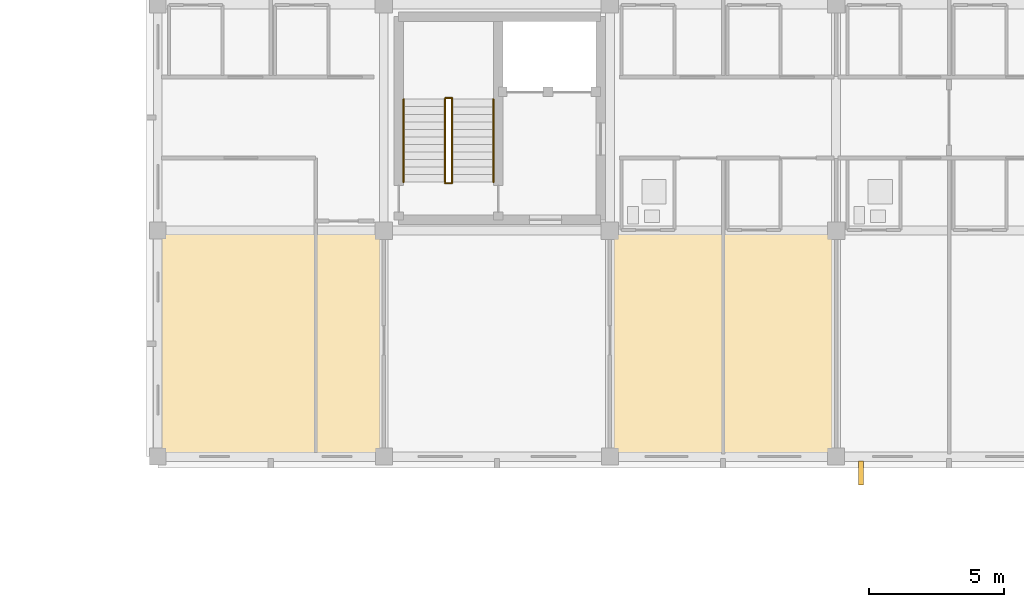
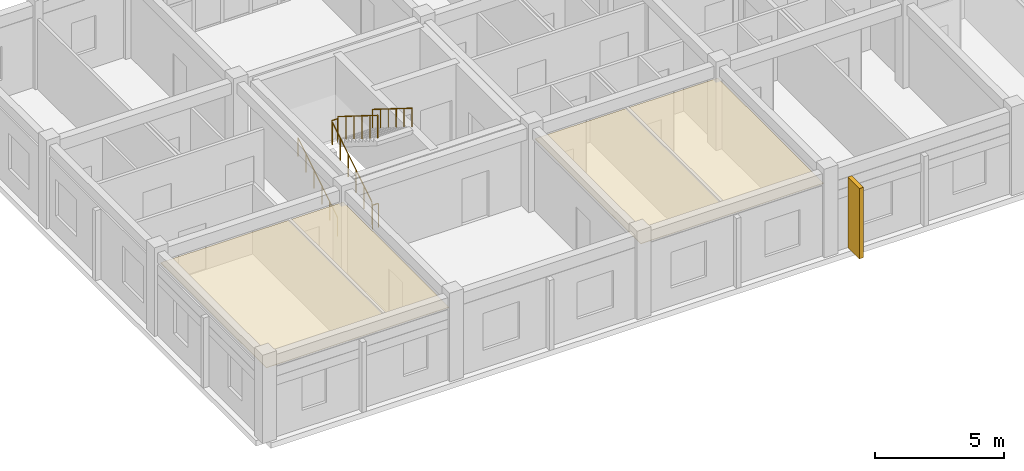
# One storey, part 77 of 81: 6 railings, 2 coverings, 1 shading device.
"""IFC4 building model written with IfcOpenShell, lengths in metres."""

from ifc_helpers import new_model, si_unit, direction, frame, origin, origin_2d, place, context, subcontext, project, spatial, polyline, rectangle, circle, outline, extrude, material, layer, layer_set, type_object, element, save


model = new_model("IFC4")

# Units and contexts
model_context = context("Model", 3, precision=1e-05, world=origin(), true_north=direction((0.0, 1.0)))
body_context = subcontext(model_context, "Body", "Model", "MODEL_VIEW")
ifc_project = project(units=[si_unit("LENGTHUNIT", "METRE"), si_unit("AREAUNIT", "SQUARE_METRE"), si_unit("VOLUMEUNIT", "CUBIC_METRE"), si_unit("PLANEANGLEUNIT", "RADIAN"), si_unit("MASSUNIT", "GRAM", prefix="KILO")], contexts=[model_context])

# Site, building, storey
site_placement = place(None, origin())
site = spatial("IfcSite", under=ifc_project, at=site_placement, CompositionType="ELEMENT")
building_placement = place(site_placement, origin())
building = spatial("IfcBuilding", under=site, at=building_placement, Name="Trelvath General Hospital", CompositionType="ELEMENT")
storey_placement = place(building_placement, frame((0.0, 0.0, 24.60009765625)))
storey = spatial("IfcBuildingStorey", under=building, at=storey_placement, Name="L06", CompositionType="ELEMENT", Elevation=24.60009765625)

# Shading device
ifc_material_1 = material(Name="Precast concrete C40/50", Category="concrete")
shading_device_type = type_object("IfcShadingDeviceType", Name="BriseSoleil PrecastFin900", PredefinedType="JALOUSIE", material=ifc_material_1)
shading_device_placement = place(storey_placement, frame((59.728271484375, 91.794921875, 0.0), z_axis=(0.0, 0.0, 1.0), x_axis=(0.0, -1.0, 0.0)))
element("IfcShadingDevice", 1, at=shading_device_placement, inside=storey, type_object=shading_device_type, Name="Solar Brise-Soleil Screen L06-93", PredefinedType="JALOUSIE", context=body_context, shape_type="SweptSolid", body=[
    extrude(rectangle(XDim=0.89990234375, YDim=0.179931640625, at=origin_2d()), origin(), (0.0, 0.0, 1.0), 3.340087890625),
])

# Coverings
ifc_material_2 = material(Name="Hygienic acoustic ceiling tile")
ifc_layer = layer(ifc_material_2, 0.02490234375)
ifc_layer_set = layer_set([ifc_layer], Name="Hygienic acoustic ceiling tile")
covering_type = type_object("IfcCoveringType", Name="Ceiling ClinicalAcoustic", PredefinedType="CEILING", material=ifc_layer_set)
covering_1_placement = place(storey_placement, frame((0.0, 0.0, 3.199951171875)))
element("IfcCovering", 2, at=covering_1_placement, inside=storey, type_object=covering_type, Name="Clinical Acoustic Ceiling L06-76", PredefinedType="CEILING", context=body_context, shape_type="SweptSolid", body=[
    extrude(outline(polyline([(33.699951171875, 92.5), (41.89990234375, 92.5), (41.89990234375, 100.719970703125), (33.699951171875, 100.719970703125), (33.699951171875, 92.5)])), origin(), (0.0, 0.0, 1.0), 0.02490234375),
])
covering_2_placement = place(storey_placement, frame((0.0, 0.0, 3.199951171875)))
element("IfcCovering", 3, at=covering_2_placement, inside=storey, type_object=covering_type, Name="Clinical Acoustic Ceiling L06-77", PredefinedType="CEILING", context=body_context, shape_type="SweptSolid", body=[
    extrude(outline(polyline([(50.5, 92.5), (58.699951171875, 92.5), (58.699951171875, 100.719970703125), (50.5, 100.719970703125), (50.5, 92.5)])), origin(), (0.0, 0.0, 1.0), 0.02490234375),
])

# Railings
ifc_material_3 = material(Name="Architectural painted steel", Category="steel")
railing_type_1 = type_object("IfcRailingType", Name="Guardrail Terrace1150", PredefinedType="GUARDRAIL", material=ifc_material_3)
railing_1_placement = place(storey_placement, frame((44.27001953125, 102.56005859375, 0.0)))
element("IfcRailing", 4, at=railing_1_placement, inside=storey, type_object=railing_type_1, Name="Stair Well Edge Guard C1 L06 36", PredefinedType="GUARDRAIL", context=body_context, shape_type="SweptSolid", body=[
    extrude(circle(Radius=0.02392578125, at=origin_2d()), frame((0.0, 0.0, 1.1259765625), z_axis=(1.0, 0.0, 0.0), x_axis=(0.0, 1.0, 0.0)), (0.0, 0.0, 1.0), 0.260009765625),
    extrude(circle(Radius=0.02099609375, at=origin_2d()), origin(), (0.0, 0.0, 1.0), 1.099853515625),
    extrude(circle(Radius=0.02099609375, at=origin_2d()), frame((0.260009765625, 0.0, 0.0)), (0.0, 0.0, 1.0), 1.099853515625),
])
railing_2_placement = place(storey_placement, frame((44.530029296875, 105.679931640625, 2.27490234375)))
element("IfcRailing", 5, at=railing_2_placement, inside=storey, type_object=railing_type_1, Name="Stair Rail ST1 L06 F2 L 38", PredefinedType="GUARDRAIL", context=body_context, shape_type="SweptSolid", body=[
    extrude(circle(Radius=0.02392578125, at=origin_2d()), frame((0.0, 0.0, 1.076171875), z_axis=(0.0, -0.847979421464, 0.530029150871), x_axis=(1.0, 0.0, 0.0)), (0.0, 0.0, 1.0), 3.632080078125),
    extrude(circle(Radius=0.02099609375, at=origin_2d()), origin(), (0.0, 0.0, 1.0), 1.050048828125),
    extrude(circle(Radius=0.02099609375, at=origin_2d()), frame((0.0, -0.615966796875, 0.385009765625)), (0.0, 0.0, 1.0), 1.050048828125),
    extrude(circle(Radius=0.02099609375, at=origin_2d()), frame((0.0, -1.23193359375, 0.77001953125)), (0.0, 0.0, 1.0), 1.050048828125),
    extrude(circle(Radius=0.02099609375, at=origin_2d()), frame((0.0, -1.847900390625, 1.155029296875)), (0.0, 0.0, 1.0), 1.050048828125),
    extrude(circle(Radius=0.02099609375, at=origin_2d()), frame((0.0, -2.4638671875, 1.5400390625)), (0.0, 0.0, 1.0), 1.050048828125),
    extrude(circle(Radius=0.02099609375, at=origin_2d()), frame((0.0, -3.079833984375, 1.925048828125)), (0.0, 0.0, 1.0), 1.050048828125),
])
railing_3_placement = place(storey_placement, frame((44.27001953125, 102.60009765625, 0.1748046875)))
element("IfcRailing", 6, at=railing_3_placement, inside=storey, type_object=railing_type_1, Name="Stair Rail ST1 L06 F1 R 39", PredefinedType="GUARDRAIL", context=body_context, shape_type="SweptSolid", body=[
    extrude(circle(Radius=0.02392578125, at=origin_2d()), frame((0.0, 0.0, 1.076171875), z_axis=(0.0, 0.847979421464, 0.530029150871), x_axis=(-1.0, 0.0, 0.0)), (0.0, 0.0, 1.0), 3.632080078125),
    extrude(circle(Radius=0.02099609375, at=origin_2d()), origin(), (0.0, 0.0, 1.0), 1.050048828125),
    extrude(circle(Radius=0.02099609375, at=origin_2d()), frame((0.0, 0.615966796875, 0.385009765625)), (0.0, 0.0, 1.0), 1.050048828125),
    extrude(circle(Radius=0.02099609375, at=origin_2d()), frame((0.0, 1.23193359375, 0.77001953125)), (0.0, 0.0, 1.0), 1.050048828125),
    extrude(circle(Radius=0.02099609375, at=origin_2d()), frame((0.0, 1.847900390625, 1.155029296875)), (0.0, 0.0, 1.0), 1.050048828125),
    extrude(circle(Radius=0.02099609375, at=origin_2d()), frame((0.0, 2.4638671875, 1.5400390625)), (0.0, 0.0, 1.0), 1.050048828125),
    extrude(circle(Radius=0.02099609375, at=origin_2d()), frame((0.0, 3.079833984375, 1.925048828125)), (0.0, 0.0, 1.0), 1.050048828125),
])
railing_4_placement = place(storey_placement, frame((44.27001953125, 105.719970703125, 2.099853515625)))
element("IfcRailing", 7, at=railing_4_placement, inside=storey, type_object=railing_type_1, Name="Half-Landing Well Guard ST1 L06 41", PredefinedType="GUARDRAIL", context=body_context, shape_type="SweptSolid", body=[
    extrude(circle(Radius=0.02392578125, at=origin_2d()), frame((0.0, 0.0, 1.1259765625), z_axis=(1.0, 0.0, 0.0), x_axis=(0.0, 1.0, 0.0)), (0.0, 0.0, 1.0), 0.260009765625),
    extrude(circle(Radius=0.02099609375, at=origin_2d()), origin(), (0.0, 0.0, 1.0), 1.099853515625),
    extrude(circle(Radius=0.02099609375, at=origin_2d()), frame((0.260009765625, 0.0, 0.0)), (0.0, 0.0, 1.0), 1.099853515625),
])
ifc_material_4 = material(Name="Brushed stainless steel", Category="steel")
railing_type_2 = type_object("IfcRailingType", Name="Handrail Stair900", PredefinedType="HANDRAIL", material=ifc_material_4)
railing_5_placement = place(storey_placement, frame((42.72998046875, 102.60009765625, 0.1748046875)))
element("IfcRailing", 8, at=railing_5_placement, inside=storey, type_object=railing_type_2, Name="Stair Rail ST1 L06 F1 L 37", PredefinedType="HANDRAIL", context=body_context, shape_type="SweptSolid", body=[
    extrude(circle(Radius=0.02392578125, at=origin_2d()), frame((0.0, 0.0, 0.8759765625), z_axis=(0.0, 0.847979421464, 0.530029150871), x_axis=(-1.0, 0.0, 0.0)), (0.0, 0.0, 1.0), 3.632080078125),
    extrude(circle(Radius=0.02099609375, at=origin_2d()), origin(), (0.0, 0.0, 1.0), 0.849853515625),
    extrude(circle(Radius=0.02099609375, at=origin_2d()), frame((0.0, 0.615966796875, 0.385009765625)), (0.0, 0.0, 1.0), 0.849853515625),
    extrude(circle(Radius=0.02099609375, at=origin_2d()), frame((0.0, 1.23193359375, 0.77001953125)), (0.0, 0.0, 1.0), 0.849853515625),
    extrude(circle(Radius=0.02099609375, at=origin_2d()), frame((0.0, 1.847900390625, 1.155029296875)), (0.0, 0.0, 1.0), 0.849853515625),
    extrude(circle(Radius=0.02099609375, at=origin_2d()), frame((0.0, 2.4638671875, 1.5400390625)), (0.0, 0.0, 1.0), 0.849853515625),
    extrude(circle(Radius=0.02099609375, at=origin_2d()), frame((0.0, 3.079833984375, 1.925048828125)), (0.0, 0.0, 1.0), 0.849853515625),
])
railing_6_placement = place(storey_placement, frame((46.070068359375, 105.679931640625, 2.27490234375)))
element("IfcRailing", 9, at=railing_6_placement, inside=storey, type_object=railing_type_2, Name="Stair Rail ST1 L06 F2 R 40", PredefinedType="HANDRAIL", context=body_context, shape_type="SweptSolid", body=[
    extrude(circle(Radius=0.02392578125, at=origin_2d()), frame((0.0, 0.0, 0.8759765625), z_axis=(0.0, -0.847979421464, 0.530029150871), x_axis=(1.0, 0.0, 0.0)), (0.0, 0.0, 1.0), 3.632080078125),
    extrude(circle(Radius=0.02099609375, at=origin_2d()), origin(), (0.0, 0.0, 1.0), 0.849853515625),
    extrude(circle(Radius=0.02099609375, at=origin_2d()), frame((0.0, -0.615966796875, 0.385009765625)), (0.0, 0.0, 1.0), 0.849853515625),
    extrude(circle(Radius=0.02099609375, at=origin_2d()), frame((0.0, -1.23193359375, 0.77001953125)), (0.0, 0.0, 1.0), 0.849853515625),
    extrude(circle(Radius=0.02099609375, at=origin_2d()), frame((0.0, -1.847900390625, 1.155029296875)), (0.0, 0.0, 1.0), 0.849853515625),
    extrude(circle(Radius=0.02099609375, at=origin_2d()), frame((0.0, -2.4638671875, 1.5400390625)), (0.0, 0.0, 1.0), 0.849853515625),
    extrude(circle(Radius=0.02099609375, at=origin_2d()), frame((0.0, -3.079833984375, 1.925048828125)), (0.0, 0.0, 1.0), 0.849853515625),
])

save(model, "model.ifc")
